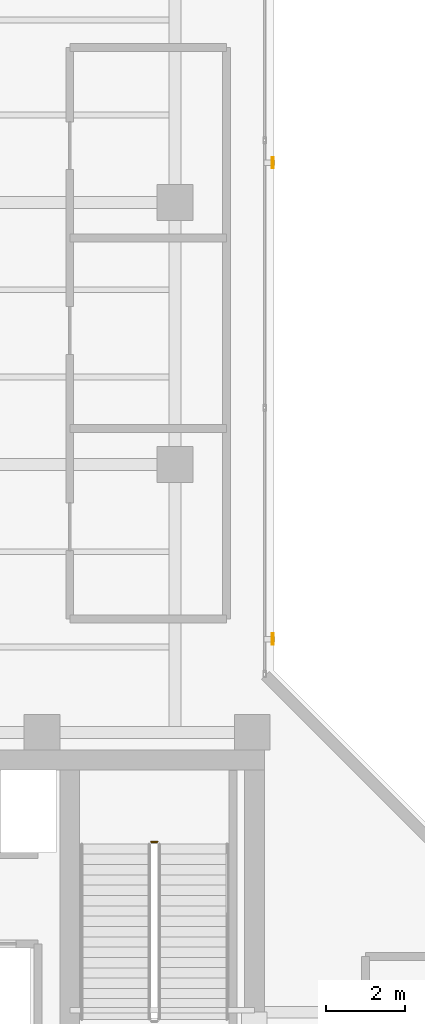
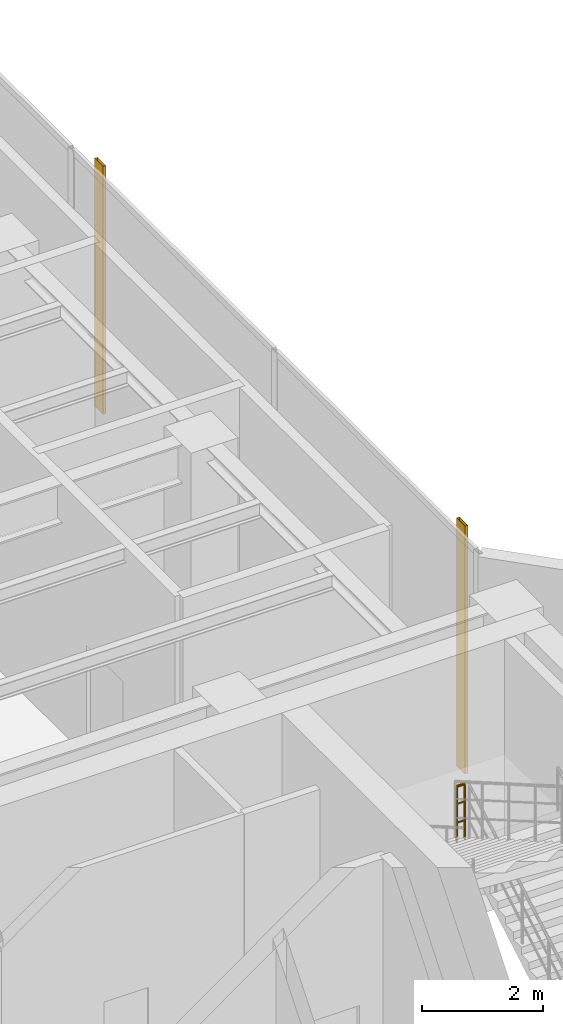
# One storey, part 29 of 29: 2 shading devices, 1 railing.
"""IFC4 building model written with IfcOpenShell, lengths in metres."""

import ifcopenshell
import ifcopenshell.guid

model = None  # the IFC model being written
_history = None  # IfcOwnerHistory: only IFC2X3 demands one
_inside = {}  # id of a spatial element -> (the spatial element, [elements in it])
_under = {}  # id of a project, library or spatial element -> (it, [spatial elements below it])
_declared = {}  # id of a project -> (the project, [libraries it declares])
_typed = {}  # id of a type object -> (the type object, [elements of that type])
_made_of = {}  # id of a material, layer set ... -> (it, [elements and type objects made of it])


def new_model(schema):
    """Start an empty IFC model of exactly this schema.

    Asked for "IFC4X3", IfcOpenShell would pick the latest addendum, in which some entities
    have other attributes; the version numbers below select the first issue.
    IFC2X3 requires an IfcOwnerHistory on every rooted entity: one is made here for all.
    """
    global model, _history
    if schema == "IFC4X3":
        model = ifcopenshell.file(schema_version=(4, 3, 0, 0))
    else:
        model = ifcopenshell.file(schema=schema)
    _inside.clear()
    _under.clear()
    _declared.clear()
    _typed.clear()
    _made_of.clear()
    _history = None
    if model.schema == "IFC2X3":
        org = make("IfcOrganization", Name="unknown")
        user = make(
            "IfcPersonAndOrganization",
            ThePerson=make("IfcPerson", FamilyName="unknown"),
            TheOrganization=org,
        )
        app = make(
            "IfcApplication",
            ApplicationDeveloper=org,
            Version="unknown",
            ApplicationFullName="unknown",
            ApplicationIdentifier="unknown",
        )
        _history = make(
            "IfcOwnerHistory",
            OwningUser=user,
            OwningApplication=app,
            ChangeAction="ADDED",
            CreationDate=0,
        )
    return model


def make(cls, **values):
    """One entity of the class cls with the attributes given. An attribute that is None is left unset."""
    return model.create_entity(
        cls, **{name: value for name, value in values.items() if value is not None}
    )


def rooted(cls, **values):
    """An entity with a GlobalId (a new one), such as an element, a storey or a relation."""
    return make(cls, GlobalId=ifcopenshell.guid.new(), OwnerHistory=_history, **values)


def si_unit(unit_type, name, prefix=None):
    """IfcSIUnit, for example si_unit("LENGTHUNIT", "METRE", prefix="MILLI")."""
    return make("IfcSIUnit", UnitType=unit_type, Prefix=prefix, Name=name)


def assignment(units):
    """IfcUnitAssignment: the units of a project."""
    return None if units is None else make("IfcUnitAssignment", Units=units)


def point(xyz):
    """IfcCartesianPoint."""
    return None if xyz is None else make("IfcCartesianPoint", Coordinates=xyz)


def direction(xyz):
    """IfcDirection."""
    return None if xyz is None else make("IfcDirection", DirectionRatios=xyz)


def frame(location, z_axis=None, x_axis=None):
    """IfcAxis2Placement3D, a coordinate frame: its origin and axes. An axis left out is left unset."""
    return make(
        "IfcAxis2Placement3D",
        Location=point(location),
        Axis=direction(z_axis),
        RefDirection=direction(x_axis),
    )


def frame_2d(location, x_axis=None):
    """IfcAxis2Placement2D, a coordinate frame in the plane: its origin and x axis."""
    return make(
        "IfcAxis2Placement2D", Location=point(location), RefDirection=direction(x_axis)
    )


def origin():
    """The frame at (0, 0, 0) with its axes left unset."""
    return frame((0.0, 0.0, 0.0))


def origin_2d():
    """The frame at (0, 0) in the plane with its x axis left unset."""
    return frame_2d((0.0, 0.0))


def place(relative_to, where):
    """IfcLocalPlacement: puts the frame where relative to a parent placement (None: the world)."""
    return make(
        "IfcLocalPlacement", PlacementRelTo=relative_to, RelativePlacement=where
    )


def context(
    kind, dimensions, precision=None, world=None, true_north=None, identifier=None
):
    """IfcGeometricRepresentationContext, for example the 3D "Model" context."""
    return make(
        "IfcGeometricRepresentationContext",
        ContextIdentifier=identifier,
        ContextType=kind,
        CoordinateSpaceDimension=dimensions,
        Precision=precision,
        WorldCoordinateSystem=world,
        TrueNorth=true_north,
    )


def subcontext(parent, identifier, kind, view, scale=None):
    """IfcGeometricRepresentationSubContext, for example "Body" below "Model"."""
    return make(
        "IfcGeometricRepresentationSubContext",
        ContextIdentifier=identifier,
        ContextType=kind,
        ParentContext=parent,
        TargetScale=scale,
        TargetView=view,
    )


def project(units=None, contexts=None):
    """IfcProject with its units and contexts."""
    return rooted(
        "IfcProject",
        Name="project",
        RepresentationContexts=contexts,
        UnitsInContext=assignment(units),
    )


def spatial(cls, under=None, at=None, **own):
    """A site, building, storey or space (cls), placed at a placement, below another one or the project."""
    s = rooted(cls, ObjectPlacement=at, **own)
    if under is not None:
        _under.setdefault(under.id(), (under, []))[1].append(s)
    return s


def profile(cls, at=None, kind="AREA", **sizes):
    """A parametric profile (cls). Its sizes go by their IFC names, for example OverallWidth=200.0."""
    return make(cls, ProfileType=kind, Position=at, **sizes)


def hollow_rectangle(**sizes):
    """IfcRectangleHollowProfileDef."""
    return profile("IfcRectangleHollowProfileDef", **sizes)


def circle(**sizes):
    """IfcCircleProfileDef."""
    return profile("IfcCircleProfileDef", **sizes)


def extrude(swept, where, along, depth):
    """IfcExtrudedAreaSolid: the profile swept, set in the frame where, extruded along a direction by depth."""
    return make(
        "IfcExtrudedAreaSolid",
        SweptArea=swept,
        Position=where,
        ExtrudedDirection=direction(along),
        Depth=depth,
    )


def shape(context_of_items, identifier, shape_type, items):
    """IfcShapeRepresentation: the items that make up one representation, for example the "Body"."""
    return make(
        "IfcShapeRepresentation",
        ContextOfItems=context_of_items,
        RepresentationIdentifier=identifier,
        RepresentationType=shape_type,
        Items=items,
    )


def material(Name=None, Category=None):
    """IfcMaterial."""
    return make("IfcMaterial", Name=Name, Category=Category)


def material_profile(
    of_material, cross_section, Name=None, Category=None, Priority=None
):
    """IfcMaterialProfile: a cross section and its material."""
    return make(
        "IfcMaterialProfile",
        Name=Name,
        Material=of_material,
        Profile=cross_section,
        Priority=Priority,
        Category=Category,
    )


def profile_set(profiles, Name=None, composite=None):
    """IfcMaterialProfileSet."""
    return make(
        "IfcMaterialProfileSet",
        Name=Name,
        MaterialProfiles=profiles,
        CompositeProfile=composite,
    )


def made_of(thing, what):
    """Note that an element or type object is made of a material, layer set ...; save() writes the relation."""
    if what is not None:
        _made_of.setdefault(what.id(), (what, []))[1].append(thing)
    return thing


def type_object(cls, material=None, **own):
    """A type object (cls), such as IfcWallType, which elements share."""
    return made_of(rooted(cls, **own), material)


def element(
    cls,
    number,
    at=None,
    inside=None,
    cuts=None,
    type_object=None,
    material=None,
    context=None,
    identifier="Body",
    shape_type=None,
    held_by="IfcProductDefinitionShape",
    body=None,
    shapes=None,
    **own,
):
    """One element of the class cls, such as IfcWall. Its Tag is "e" and its number.

    at: its placement. inside: the storey or other place that contains it. cuts: it is an
    opening in that element (IfcRelVoidsElement). A single representation is given by context,
    identifier, shape_type and body (its items); several are given by shapes. held_by: the class
    of the entity that holds the representations. save() writes the other relations.
    """
    e = rooted(cls, Tag="e%d" % number, ObjectPlacement=at, **own)
    if body is not None:
        shapes = [shape(context, identifier, shape_type, body)]
    if shapes is not None:
        e.Representation = make(held_by, Representations=shapes)
    if inside is not None:
        _inside.setdefault(inside.id(), (inside, []))[1].append(e)
    if cuts is not None:
        rooted(
            "IfcRelVoidsElement", RelatingBuildingElement=cuts, RelatedOpeningElement=e
        )
    if type_object is not None:
        _typed.setdefault(type_object.id(), (type_object, []))[1].append(e)
    return made_of(e, material)


def aggregate(whole, parts):
    """IfcRelAggregates: a whole, such as a stair, and the parts it consists of."""
    return rooted("IfcRelAggregates", RelatingObject=whole, RelatedObjects=parts)


def save(model, path):
    """Write the relations noted so far, then the file.

    IfcRelAggregates (storeys below a building ...), IfcRelContainedInSpatialStructure (elements
    in a storey), IfcRelDefinesByType, IfcRelAssociatesMaterial and IfcRelDeclares: one each for
    every whole, place, type object, material and project.
    """
    for whole, parts in _under.values():
        aggregate(whole, parts)
    for where, things in _inside.values():
        rooted(
            "IfcRelContainedInSpatialStructure",
            RelatedElements=things,
            RelatingStructure=where,
        )
    for kind, things in _typed.values():
        rooted("IfcRelDefinesByType", RelatedObjects=things, RelatingType=kind)
    for what, things in _made_of.values():
        rooted("IfcRelAssociatesMaterial", RelatedObjects=things, RelatingMaterial=what)
    for by, libraries in _declared.values():
        rooted("IfcRelDeclares", RelatingContext=by, RelatedDefinitions=libraries)
    model.write(path)


model = new_model("IFC4")

# Units and contexts
model_context = context("Model", 3, precision=1e-05, world=origin(), true_north=direction((0.0, 1.0)))
body_context = subcontext(model_context, "Body", "Model", "MODEL_VIEW")
ifc_project = project(units=[si_unit("LENGTHUNIT", "METRE"), si_unit("AREAUNIT", "SQUARE_METRE"), si_unit("VOLUMEUNIT", "CUBIC_METRE"), si_unit("PLANEANGLEUNIT", "RADIAN"), si_unit("MASSUNIT", "GRAM", prefix="KILO")], contexts=[model_context])

# Site, building, storey
site_placement = place(None, origin())
site = spatial("IfcSite", under=ifc_project, at=site_placement, CompositionType="ELEMENT")
building_placement = place(site_placement, origin())
building = spatial("IfcBuilding", under=site, at=building_placement, Name="Kolvaren Waterfront Exchange", CompositionType="ELEMENT")
storey_placement = place(building_placement, frame((0.0, 0.0, 338.800048828125)))
storey = spatial("IfcBuildingStorey", under=building, at=storey_placement, Name="L87", CompositionType="ELEMENT", Elevation=338.800048828125)

# Shading devices
ifc_material_1 = material(Name="Anodised bronze aluminium 6063-T6", Category="aluminium")
ifc_material_profile = material_profile(ifc_material_1, hollow_rectangle(XDim=0.054931640625, YDim=0.280029296875, WallThickness=0.00439453125, at=origin_2d()), Name="BRZ-FIN-280x55x4.5")
ifc_profile_set = profile_set([ifc_material_profile], Name="Anodised bronze aluminium 6063-T6")
shading_device_type = type_object("IfcShadingDeviceType", Name="ARC-FIN-280", PredefinedType="USERDEFINED", material=ifc_profile_set)
for number, where, z_axis, x_axis, name in (
    (1, (21.260009765625, 26.800048828125, 0.0), (0.0, 0.0, 1.0), (1.0, 0.0, 0.0), "L87 anodised bronze solar shading fin FIN-L87-E2"),
    (2, (21.260009765625, 38.800048828125, 0.0), (0.0, 0.0, 1.0), (1.0, 0.0, 0.0), "L87 anodised bronze solar shading fin FIN-L87-E3"),
):
    element("IfcShadingDevice", number, at=place(storey_placement, frame(where, z_axis=z_axis, x_axis=x_axis)), inside=storey, type_object=shading_device_type, Name=name, ObjectType="SOLAR FIN", PredefinedType="USERDEFINED", context=body_context, shape_type="SweptSolid", body=[
        extrude(hollow_rectangle(XDim=0.054931640625, YDim=0.280029296875, WallThickness=0.00439453125, at=origin_2d()), origin(), (0.0, 0.0, 1.0), 5.02001953125),
    ])

# Railing
ifc_material_2 = material(Name="Stainless steel 316", Category="steel")
railing_type = type_object("IfcRailingType", Name="ARC-GUARD-STAIR", PredefinedType="GUARDRAIL", material=ifc_material_2)
railing_placement = place(storey_placement, frame((18.360107421875, 21.68994140625, 2.699951171875)))
element("IfcRailing", 3, at=railing_placement, inside=storey, type_object=railing_type, Name="L87 ST2 stair guard 2", PredefinedType="GUARDRAIL", context=body_context, shape_type="SweptSolid", body=[
    extrude(circle(Radius=0.02392578125, at=origin_2d()), frame((0.0, 0.0, 1.1259765625), z_axis=(-1.0, 0.0, 0.0), x_axis=(0.0, -1.0, 0.0)), (0.0, 0.0, 1.0), 0.16015625),
    extrude(circle(Radius=0.01611328125, at=origin_2d()), frame((0.0, 0.0, 0.390869140625), z_axis=(-1.0, 0.0, 0.0), x_axis=(0.0, -1.0, 0.0)), (0.0, 0.0, 1.0), 0.16015625),
    extrude(circle(Radius=0.01611328125, at=origin_2d()), frame((0.0, 0.0, 0.7705078125), z_axis=(-1.0, 0.0, 0.0), x_axis=(0.0, -1.0, 0.0)), (0.0, 0.0, 1.0), 0.16015625),
    extrude(circle(Radius=0.02099609375, at=origin_2d()), origin(), (0.0, 0.0, 1.0), 1.101806640625),
    extrude(circle(Radius=0.02099609375, at=origin_2d()), frame((-0.16015625, 0.0, 0.0)), (0.0, 0.0, 1.0), 1.101806640625),
])

save(model, "model.ifc")
